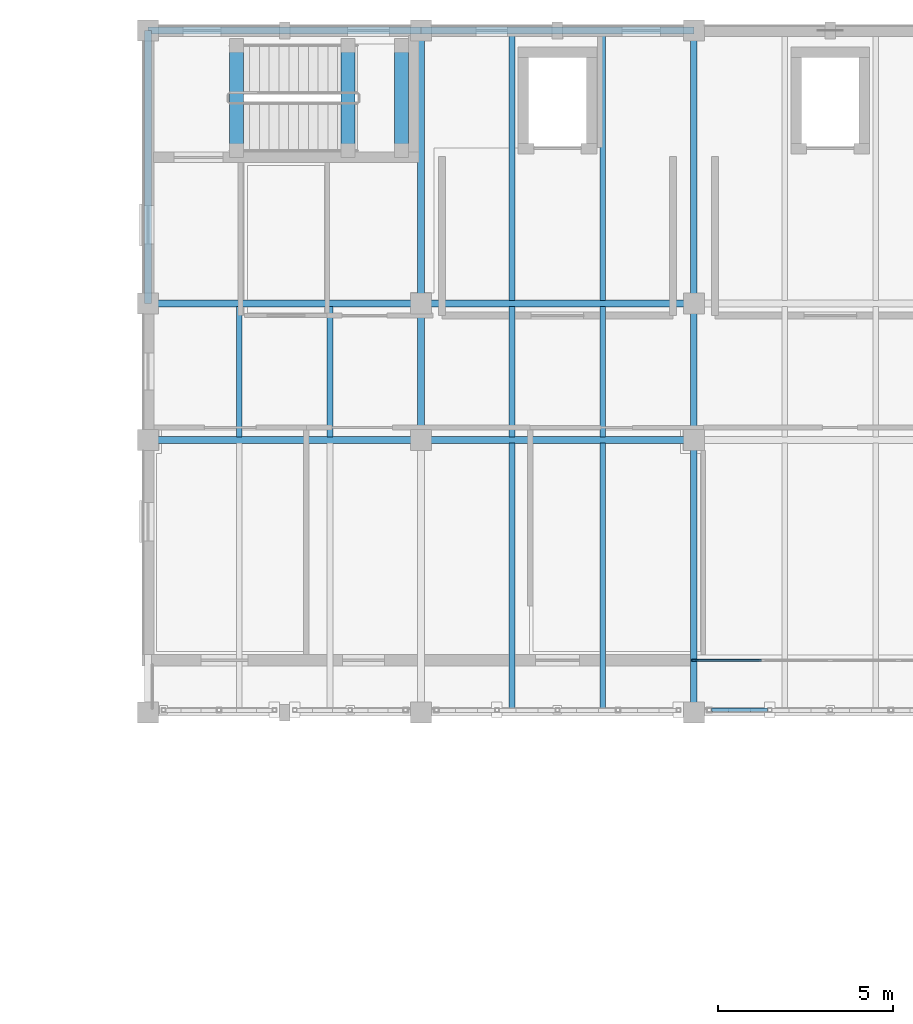
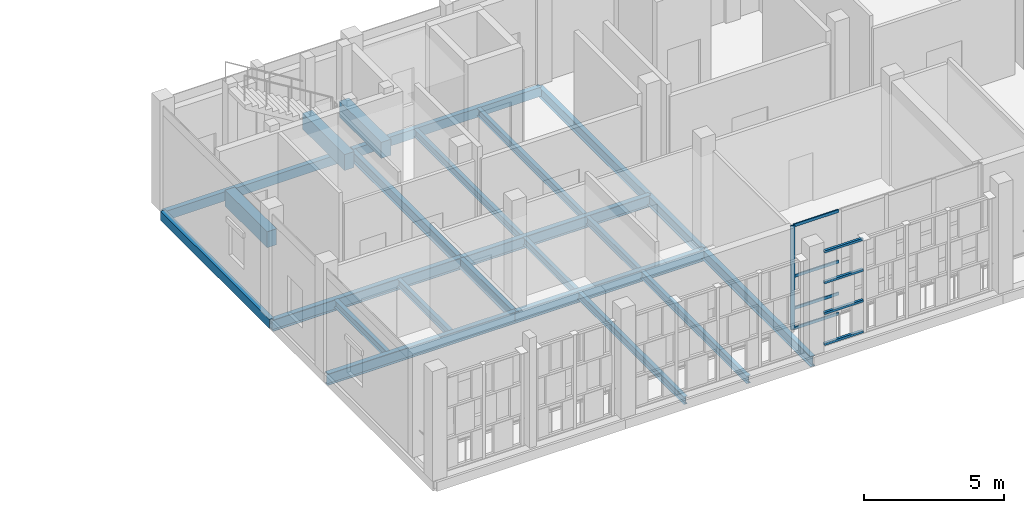
# One storey, part 46 of 138: 23 beams, 9 members, 1 element without a shape of its own.
"""IFC4 building model written with IfcOpenShell, lengths in metres."""

from ifc_helpers import new_model, si_unit, direction, frame, origin, origin_2d, place, context, subcontext, project, spatial, rectangle, hollow_rectangle, i_section, extrude, material, layer, layer_set, material_profile, profile_set, type_object, element, aggregate, save


model = new_model("IFC4")

# Units and contexts
model_context = context("Model", 3, precision=1e-05, world=origin(), true_north=direction((0.0, 1.0)))
body_context = subcontext(model_context, "Body", "Model", "MODEL_VIEW")
ifc_project = project(units=[si_unit("LENGTHUNIT", "METRE"), si_unit("AREAUNIT", "SQUARE_METRE"), si_unit("VOLUMEUNIT", "CUBIC_METRE"), si_unit("PLANEANGLEUNIT", "RADIAN"), si_unit("MASSUNIT", "GRAM", prefix="KILO")], contexts=[model_context])

# Site, building, storey
site_placement = place(None, origin())
site = spatial("IfcSite", under=ifc_project, at=site_placement, CompositionType="ELEMENT")
building_placement = place(site_placement, origin())
building = spatial("IfcBuilding", under=site, at=building_placement, Name="Celorna Specialist Clinic", CompositionType="ELEMENT")
storey_placement = place(building_placement, frame((0.0, 0.0, 4.800048828125)))
storey = spatial("IfcBuildingStorey", under=building, at=storey_placement, Name="L01", CompositionType="ELEMENT", Elevation=4.800048828125)

# Beams
ifc_material_1 = material(Name="Steel S355", Category="steel")
ifc_material_profile_1 = material_profile(ifc_material_1, i_section(OverallWidth=0.199951171875, OverallDepth=0.5, WebThickness=0.01025390625, FlangeThickness=0.01611328125, at=origin_2d()), Name="IPE 500")
ifc_profile_set_1 = profile_set([ifc_material_profile_1], Name="Steel S355")
beam_type_1 = type_object("IfcBeamType", Name="BM-08", PredefinedType="BEAM", material=ifc_profile_set_1)
beam_1_placement = place(storey_placement, frame((46.800048828125, 104.300048828125, -0.510009765625), z_axis=(1.0, 0.0, 0.0), x_axis=(0.0, 1.0, 0.0)))
element("IfcBeam", 1, at=beam_1_placement, inside=storey, type_object=beam_type_1, Name="Primary girder BM-08 #885", PredefinedType="BEAM", context=body_context, shape_type="SweptSolid", body=[
    extrude(i_section(OverallWidth=0.199951171875, OverallDepth=0.5, WebThickness=0.01025390625, FlangeThickness=0.01611328125, at=origin_2d()), origin(), (0.0, 0.0, 1.0), 7.800048828125),
])
beam_2_placement = place(storey_placement, frame((54.60009765625, 104.300048828125, -0.510009765625), z_axis=(1.0, 0.0, 0.0), x_axis=(0.0, 1.0, 0.0)))
element("IfcBeam", 2, at=beam_2_placement, inside=storey, type_object=beam_type_1, Name="Primary girder BM-08 #886", PredefinedType="BEAM", context=body_context, shape_type="SweptSolid", body=[
    extrude(i_section(OverallWidth=0.199951171875, OverallDepth=0.5, WebThickness=0.01025390625, FlangeThickness=0.01611328125, at=origin_2d()), origin(), (0.0, 0.0, 1.0), 7.7998046875),
])
beam_3_placement = place(storey_placement, frame((46.800048828125, 108.199951171875, -0.510009765625), z_axis=(1.0, 0.0, 0.0), x_axis=(0.0, 1.0, 0.0)))
element("IfcBeam", 3, at=beam_3_placement, inside=storey, type_object=beam_type_1, Name="Primary girder BM-08 #901", PredefinedType="BEAM", context=body_context, shape_type="SweptSolid", body=[
    extrude(i_section(OverallWidth=0.199951171875, OverallDepth=0.5, WebThickness=0.01025390625, FlangeThickness=0.01611328125, at=origin_2d()), origin(), (0.0, 0.0, 1.0), 7.800048828125),
])
beam_4_placement = place(storey_placement, frame((54.60009765625, 108.199951171875, -0.510009765625), z_axis=(1.0, 0.0, 0.0), x_axis=(0.0, 1.0, 0.0)))
element("IfcBeam", 4, at=beam_4_placement, inside=storey, type_object=beam_type_1, Name="Primary girder BM-08 #902", PredefinedType="BEAM", context=body_context, shape_type="SweptSolid", body=[
    extrude(i_section(OverallWidth=0.199951171875, OverallDepth=0.5, WebThickness=0.01025390625, FlangeThickness=0.01611328125, at=origin_2d()), origin(), (0.0, 0.0, 1.0), 7.7998046875),
])
ifc_material_profile_2 = material_profile(ifc_material_1, i_section(OverallWidth=0.18994140625, OverallDepth=0.449951171875, WebThickness=0.009521484375, FlangeThickness=0.0146484375, at=origin_2d()), Name="IPE 450")
ifc_profile_set_2 = profile_set([ifc_material_profile_2], Name="Steel S355")
beam_type_2 = type_object("IfcBeamType", Name="BM-09", PredefinedType="BEAM", material=ifc_profile_set_2)
beam_5_placement = place(storey_placement, frame((54.60009765625, 104.300048828125, -0.485107421875), z_axis=(0.0, 1.0, 0.0), x_axis=(-1.0, 0.0, 0.0)))
element("IfcBeam", 5, at=beam_5_placement, inside=storey, type_object=beam_type_2, Name="Transverse girder BM-09 #937", PredefinedType="BEAM", context=body_context, shape_type="SweptSolid", body=[
    extrude(i_section(OverallWidth=0.18994140625, OverallDepth=0.449951171875, WebThickness=0.009521484375, FlangeThickness=0.0146484375, at=origin_2d()), origin(), (0.0, 0.0, 1.0), 3.89990234375),
])
for number, where, z_axis, x_axis, name in (
    (6, (54.60009765625, 108.199951171875, -0.485107421875), (0.0, 1.0, 0.0), (-1.0, 0.0, 0.0), "Transverse girder BM-09 #938"),
    (7, (62.39990234375, 96.5, -0.485107421875), (0.0, 1.0, 0.0), (-1.0, 0.0, 0.0), "Transverse girder BM-09 #939"),
):
    element("IfcBeam", number, at=place(storey_placement, frame(where, z_axis=z_axis, x_axis=x_axis)), inside=storey, type_object=beam_type_2, Name=name, PredefinedType="BEAM", context=body_context, shape_type="SweptSolid", body=[
        extrude(i_section(OverallWidth=0.18994140625, OverallDepth=0.449951171875, WebThickness=0.009521484375, FlangeThickness=0.0146484375, at=origin_2d()), origin(), (0.0, 0.0, 1.0), 7.800048828125),
    ])
beam_6_placement = place(storey_placement, frame((62.39990234375, 104.300048828125, -0.485107421875), z_axis=(0.0, 1.0, 0.0), x_axis=(-1.0, 0.0, 0.0)))
element("IfcBeam", 8, at=beam_6_placement, inside=storey, type_object=beam_type_2, Name="Transverse girder BM-09 #940", PredefinedType="BEAM", context=body_context, shape_type="SweptSolid", body=[
    extrude(i_section(OverallWidth=0.18994140625, OverallDepth=0.449951171875, WebThickness=0.009521484375, FlangeThickness=0.0146484375, at=origin_2d()), origin(), (0.0, 0.0, 1.0), 3.89990234375),
])
beam_7_placement = place(storey_placement, frame((62.39990234375, 108.199951171875, -0.485107421875), z_axis=(0.0, 1.0, 0.0), x_axis=(-1.0, 0.0, 0.0)))
element("IfcBeam", 9, at=beam_7_placement, inside=storey, type_object=beam_type_2, Name="Transverse girder BM-09 #941", PredefinedType="BEAM", context=body_context, shape_type="SweptSolid", body=[
    extrude(i_section(OverallWidth=0.18994140625, OverallDepth=0.449951171875, WebThickness=0.009521484375, FlangeThickness=0.0146484375, at=origin_2d()), origin(), (0.0, 0.0, 1.0), 7.800048828125),
])
ifc_material_profile_3 = material_profile(ifc_material_1, i_section(OverallWidth=0.159912109375, OverallDepth=0.330078125, WebThickness=0.007568359375, FlangeThickness=0.011474609375, at=origin_2d()), Name="IPE 330")
ifc_profile_set_3 = profile_set([ifc_material_profile_3], Name="Steel S355")
beam_type_3 = type_object("IfcBeamType", Name="BM-12", PredefinedType="JOIST", material=ifc_profile_set_3)
for number, where, z_axis, x_axis, name in (
    (10, (49.39990234375, 104.387939453125, -0.425048828125), (0.0, 1.0, 0.0), (-1.0, 0.0, 0.0), "Secondary floor joist BM-12 #985"),
    (11, (52.0, 104.387939453125, -0.425048828125), (0.0, 1.0, 0.0), (-1.0, 0.0, 0.0), "Secondary floor joist BM-12 #986"),
):
    element("IfcBeam", number, at=place(storey_placement, frame(where, z_axis=z_axis, x_axis=x_axis)), inside=storey, type_object=beam_type_3, Name=name, PredefinedType="JOIST", context=body_context, shape_type="SweptSolid", body=[
        extrude(i_section(OverallWidth=0.159912109375, OverallDepth=0.330078125, WebThickness=0.007568359375, FlangeThickness=0.011474609375, at=origin_2d()), origin(), (0.0, 0.0, 1.0), 3.72412109375),
    ])
for number, where, z_axis, x_axis, name in (
    (12, (57.199951171875, 96.587890625, -0.425048828125), (0.0, 1.0, 0.0), (-1.0, 0.0, 0.0), "Secondary floor joist BM-12 #987"),
    (13, (59.800048828125, 96.587890625, -0.425048828125), (0.0, 1.0, 0.0), (-1.0, 0.0, 0.0), "Secondary floor joist BM-12 #988"),
):
    element("IfcBeam", number, at=place(storey_placement, frame(where, z_axis=z_axis, x_axis=x_axis)), inside=storey, type_object=beam_type_3, Name=name, PredefinedType="JOIST", context=body_context, shape_type="SweptSolid", body=[
        extrude(i_section(OverallWidth=0.159912109375, OverallDepth=0.330078125, WebThickness=0.007568359375, FlangeThickness=0.011474609375, at=origin_2d()), origin(), (0.0, 0.0, 1.0), 7.6240234375),
    ])
for number, where, z_axis, x_axis, name in (
    (14, (57.199951171875, 104.387939453125, -0.425048828125), (0.0, 1.0, 0.0), (-1.0, 0.0, 0.0), "Secondary floor joist BM-12 #989"),
    (15, (59.800048828125, 104.387939453125, -0.425048828125), (0.0, 1.0, 0.0), (-1.0, 0.0, 0.0), "Secondary floor joist BM-12 #990"),
):
    element("IfcBeam", number, at=place(storey_placement, frame(where, z_axis=z_axis, x_axis=x_axis)), inside=storey, type_object=beam_type_3, Name=name, PredefinedType="JOIST", context=body_context, shape_type="SweptSolid", body=[
        extrude(i_section(OverallWidth=0.159912109375, OverallDepth=0.330078125, WebThickness=0.007568359375, FlangeThickness=0.011474609375, at=origin_2d()), origin(), (0.0, 0.0, 1.0), 3.72412109375),
    ])
for number, where, z_axis, x_axis, name in (
    (16, (57.199951171875, 108.2880859375, -0.425048828125), (0.0, 1.0, 0.0), (-1.0, 0.0, 0.0), "Secondary floor joist BM-12 #991"),
    (17, (59.800048828125, 108.2880859375, -0.425048828125), (0.0, 1.0, 0.0), (-1.0, 0.0, 0.0), "Secondary floor joist BM-12 #992"),
):
    element("IfcBeam", number, at=place(storey_placement, frame(where, z_axis=z_axis, x_axis=x_axis)), inside=storey, type_object=beam_type_3, Name=name, PredefinedType="JOIST", context=body_context, shape_type="SweptSolid", body=[
        extrude(i_section(OverallWidth=0.159912109375, OverallDepth=0.330078125, WebThickness=0.007568359375, FlangeThickness=0.011474609375, at=origin_2d()), origin(), (0.0, 0.0, 1.0), 7.6240234375),
    ])
ifc_material_profile_4 = material_profile(ifc_material_1, hollow_rectangle(XDim=0.199951171875, YDim=0.39990234375, WallThickness=0.011962890625, at=origin_2d()), Name="RHS 200x400x12")
ifc_profile_set_4 = profile_set([ifc_material_profile_4], Name="Steel S355")
beam_type_4 = type_object("IfcBeamType", Name="BM-15", PredefinedType="SPANDREL", material=ifc_profile_set_4)
beam_8_placement = place(storey_placement, frame((46.800048828125, 116.0, -0.4599609375), z_axis=(1.0, 0.0, 0.0), x_axis=(0.0, 1.0, 0.0)))
element("IfcBeam", 18, at=beam_8_placement, inside=storey, type_object=beam_type_4, Name="Spandrel beam BM-15 #917", PredefinedType="SPANDREL", context=body_context, shape_type="SweptSolid", body=[
    extrude(hollow_rectangle(XDim=0.199951171875, YDim=0.39990234375, WallThickness=0.011962890625, at=origin_2d()), origin(), (0.0, 0.0, 1.0), 7.800048828125),
])
beam_9_placement = place(storey_placement, frame((54.60009765625, 116.0, -0.4599609375), z_axis=(1.0, 0.0, 0.0), x_axis=(0.0, 1.0, 0.0)))
element("IfcBeam", 19, at=beam_9_placement, inside=storey, type_object=beam_type_4, Name="Spandrel beam BM-15 #918", PredefinedType="SPANDREL", context=body_context, shape_type="SweptSolid", body=[
    extrude(hollow_rectangle(XDim=0.199951171875, YDim=0.39990234375, WallThickness=0.011962890625, at=origin_2d()), origin(), (0.0, 0.0, 1.0), 7.7998046875),
])
beam_10_placement = place(storey_placement, frame((46.800048828125, 108.199951171875, -0.4599609375), z_axis=(0.0, 1.0, 0.0), x_axis=(-1.0, 0.0, 0.0)))
element("IfcBeam", 20, at=beam_10_placement, inside=storey, type_object=beam_type_4, Name="Spandrel beam BM-15 #935", PredefinedType="SPANDREL", context=body_context, shape_type="SweptSolid", body=[
    extrude(hollow_rectangle(XDim=0.199951171875, YDim=0.39990234375, WallThickness=0.011962890625, at=origin_2d()), origin(), (0.0, 0.0, 1.0), 7.800048828125),
])
ifc_material_2 = material(Name="Concrete C35/45", Category="concrete")
ifc_material_profile_5 = material_profile(ifc_material_2, rectangle(XDim=0.39990234375, YDim=0.699951171875, at=origin_2d()), Name="RC 400x700")
ifc_profile_set_5 = profile_set([ifc_material_profile_5], Name="Concrete C35/45")
beam_type_5 = type_object("IfcBeamType", Name="BM-19", PredefinedType="BEAM", material=ifc_profile_set_5)
for number, where, z_axis, x_axis, name in (
    (21, (49.320068359375, 112.570068359375, -0.275146484375), (0.0, 1.0, 0.0), (-1.0, 0.0, 0.0), "Stair ST-01 floor landing trimmer beam L01"),
    (22, (52.52001953125, 112.570068359375, 1.974853515625), (0.0, 1.0, 0.0), (-1.0, 0.0, 0.0), "Stair ST-01 half-landing beam L01"),
    (23, (54.0400390625, 112.570068359375, 1.974853515625), (0.0, 1.0, 0.0), (-1.0, 0.0, 0.0), "Stair ST-01 half-landing beam L01"),
):
    element("IfcBeam", number, at=place(storey_placement, frame(where, z_axis=z_axis, x_axis=x_axis)), inside=storey, type_object=beam_type_5, Name=name, PredefinedType="BEAM", context=body_context, shape_type="SweptSolid", body=[
        extrude(rectangle(XDim=0.39990234375, YDim=0.699951171875, at=origin_2d()), origin(), (0.0, 0.0, 1.0), 3.0),
    ])

# Members
ifc_material_profile_6 = material_profile(ifc_material_1, hollow_rectangle(XDim=0.10009765625, YDim=0.10009765625, WallThickness=0.006103515625, at=origin_2d()), Name="SHS 100x100x6")
ifc_profile_set_6 = profile_set([ifc_material_profile_6], Name="Steel S355")
member_type_1 = type_object("IfcMemberType", Name="MB-12", PredefinedType="STUD", material=ifc_profile_set_6)
for number, where, z_axis, x_axis, name in (
    (24, (62.89990234375, 96.580078125, 0.050048828125), (1.0, 0.0, 0.0), (0.0, 1.0, 0.0), "Perforated screen rail #755"),
    (25, (62.89990234375, 96.580078125, 1.396728515625), (1.0, 0.0, 0.0), (0.0, 1.0, 0.0), "Perforated screen rail #756"),
    (26, (62.89990234375, 96.580078125, 2.7431640625), (1.0, 0.0, 0.0), (0.0, 1.0, 0.0), "Perforated screen rail #757"),
    (27, (62.89990234375, 96.580078125, 4.08984375), (1.0, 0.0, 0.0), (0.0, 1.0, 0.0), "Perforated screen rail #758"),
):
    element("IfcMember", number, at=place(storey_placement, frame(where, z_axis=z_axis, x_axis=x_axis)), inside=storey, type_object=member_type_1, Name=name, PredefinedType="STUD", context=body_context, shape_type="SweptSolid", body=[
        extrude(hollow_rectangle(XDim=0.10009765625, YDim=0.10009765625, WallThickness=0.006103515625, at=origin_2d()), origin(), (0.0, 0.0, 1.0), 1.610107421875),
    ])

# Curtain wall, members
ifc_material_3 = material(Name="Thermally broken aluminium and solar-control glass curtain wall", Category="aluminium")
ifc_layer = layer(ifc_material_3, 0.159912109375, Name="Thermally broken aluminium and solar-control glass curtain wall")
ifc_layer_set = layer_set([ifc_layer], Name="Thermally broken aluminium and solar-control glass curtain wall")
curtain_wall_type = type_object("IfcCurtainWallType", Name="CW-26", PredefinedType="NOTDEFINED", material=ifc_layer_set)
curtain_wall_placement = place(storey_placement, origin())
curtain_wall = element("IfcCurtainWall", 28, at=curtain_wall_placement, inside=storey, type_object=curtain_wall_type, Name="Curtain wall CW-26 #104", PredefinedType="NOTDEFINED")
ifc_material_4 = material(Name="Anodized aluminium mullion", Category="aluminium")
ifc_material_profile_7 = material_profile(ifc_material_4, rectangle(XDim=0.050048828125, YDim=0.179931640625, at=origin_2d()), Name="ALU MULLION 50x180")
ifc_profile_set_7 = profile_set([ifc_material_profile_7], Name="Anodized aluminium mullion")
member_type_2 = type_object("IfcMemberType", Name="ML-02", PredefinedType="MULLION", material=ifc_profile_set_7)
member_1_placement = place(storey_placement, frame((62.428955078125, 98.0, 0.0), z_axis=(0.0, 0.0, 1.0), x_axis=(0.0, -1.0, 0.0)))
member_1 = element("IfcMember", 29, at=member_1_placement, type_object=member_type_2, Name="CW-26 mullion 5", PredefinedType="MULLION", context=body_context, shape_type="SweptSolid", body=[
    extrude(rectangle(XDim=0.050048828125, YDim=0.179931640625, at=origin_2d()), origin(), (0.0, 0.0, 1.0), 4.5400390625),
])
ifc_material_5 = material(Name="Anodized aluminium transom", Category="aluminium")
ifc_material_profile_8 = material_profile(ifc_material_5, rectangle(XDim=0.050048828125, YDim=0.1298828125, at=origin_2d()), Name="ALU TRANSOM 50x130")
ifc_profile_set_8 = profile_set([ifc_material_profile_8], Name="Anodized aluminium transom")
member_type_3 = type_object("IfcMemberType", Name="TR-01", PredefinedType="USERDEFINED", material=ifc_profile_set_8)
member_2_placement = place(storey_placement, frame((64.326904296875, 98.0, 0.02490234375), z_axis=(-1.0, 0.0, 0.0), x_axis=(0.0, -1.0, 0.0)))
member_2 = element("IfcMember", 30, at=member_2_placement, type_object=member_type_3, Name="CW-26 transom 4.1", ObjectType="TRANSOM", PredefinedType="USERDEFINED", context=body_context, shape_type="SweptSolid", body=[
    extrude(rectangle(XDim=0.050048828125, YDim=0.1298828125, at=origin_2d()), origin(), (0.0, 0.0, 1.0), 1.872802734375),
])
member_3_placement = place(storey_placement, frame((64.326904296875, 98.0, 0.89990234375), z_axis=(-1.0, 0.0, 0.0), x_axis=(0.0, -1.0, 0.0)))
member_3 = element("IfcMember", 31, at=member_3_placement, type_object=member_type_3, Name="CW-26 transom 4.2", ObjectType="TRANSOM", PredefinedType="USERDEFINED", context=body_context, shape_type="SweptSolid", body=[
    extrude(rectangle(XDim=0.050048828125, YDim=0.1298828125, at=origin_2d()), origin(), (0.0, 0.0, 1.0), 1.872802734375),
])
member_4_placement = place(storey_placement, frame((64.326904296875, 98.0, 2.300048828125), z_axis=(-1.0, 0.0, 0.0), x_axis=(0.0, -1.0, 0.0)))
member_4 = element("IfcMember", 32, at=member_4_placement, type_object=member_type_3, Name="CW-26 transom 4.3", ObjectType="TRANSOM", PredefinedType="USERDEFINED", context=body_context, shape_type="SweptSolid", body=[
    extrude(rectangle(XDim=0.050048828125, YDim=0.1298828125, at=origin_2d()), origin(), (0.0, 0.0, 1.0), 1.872802734375),
])
member_5_placement = place(storey_placement, frame((64.326904296875, 98.0, 4.514892578125), z_axis=(-1.0, 0.0, 0.0), x_axis=(0.0, -1.0, 0.0)))
member_5 = element("IfcMember", 33, at=member_5_placement, type_object=member_type_3, Name="CW-26 transom 4.4", ObjectType="TRANSOM", PredefinedType="USERDEFINED", context=body_context, shape_type="SweptSolid", body=[
    extrude(rectangle(XDim=0.050048828125, YDim=0.1298828125, at=origin_2d()), origin(), (0.0, 0.0, 1.0), 1.872802734375),
])
aggregate(curtain_wall, [member_1, member_2, member_3, member_4, member_5])

save(model, "model.ifc")
